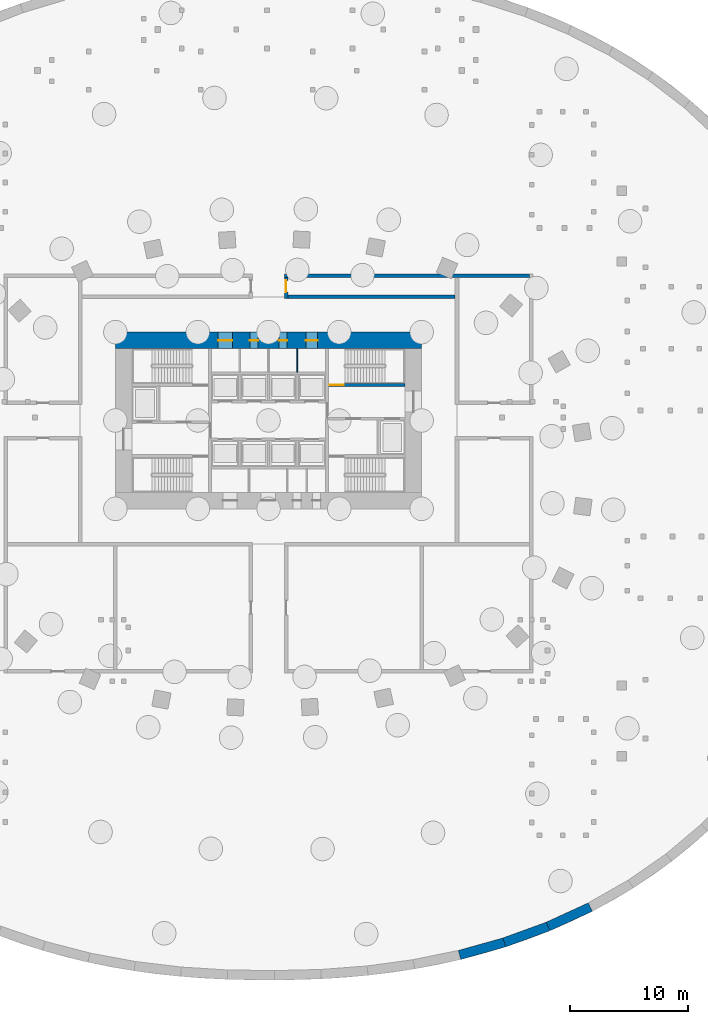
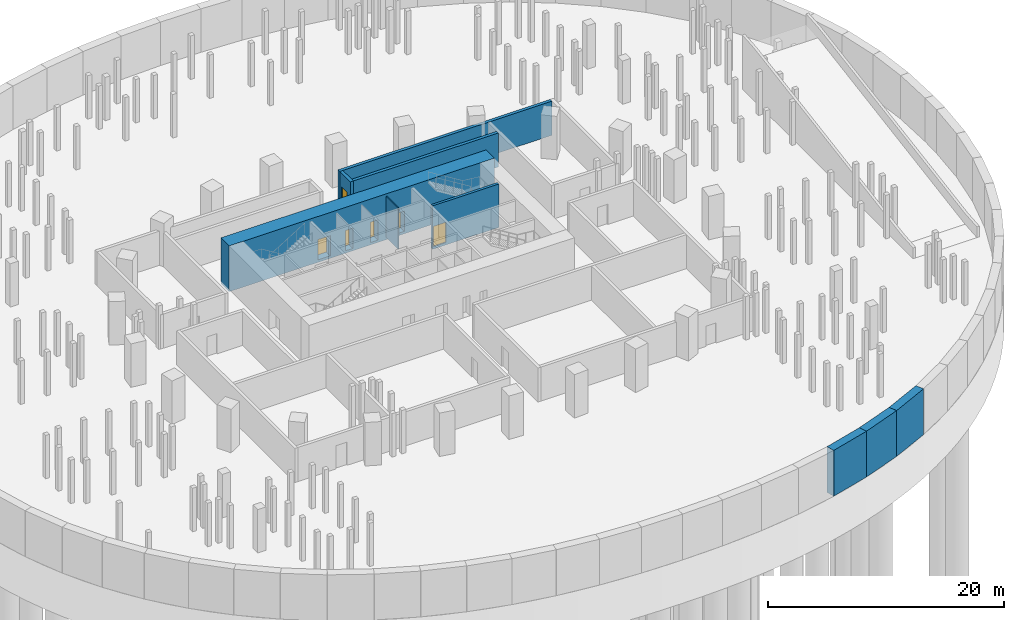
# One storey, part 6 of 10: 9 walls, 6 doors, 6 openings.
"""IFC4 building model written with IfcOpenShell, lengths in metres."""

from ifc_helpers import new_model, si_unit, direction, frame, frame_2d, origin, place, context, subcontext, project, spatial, rectangle, extrude, material, layer, layer_set, type_object, element, fill, save


model = new_model("IFC4")

# Units and contexts
model_context = context("Model", 3, precision=1e-05, world=origin(), true_north=direction((0.0, 1.0)))
body_context = subcontext(model_context, "Body", "Model", "MODEL_VIEW")
ifc_project = project(units=[si_unit("LENGTHUNIT", "METRE"), si_unit("AREAUNIT", "SQUARE_METRE"), si_unit("VOLUMEUNIT", "CUBIC_METRE"), si_unit("PLANEANGLEUNIT", "RADIAN"), si_unit("MASSUNIT", "GRAM", prefix="KILO")], contexts=[model_context])

# Site, building, storey
site_placement = place(None, origin())
site = spatial("IfcSite", under=ifc_project, at=site_placement, CompositionType="ELEMENT")
building_placement = place(site_placement, origin())
building = spatial("IfcBuilding", under=site, at=building_placement, Name="Rubra Terraces Tower", CompositionType="ELEMENT")
storey_placement = place(building_placement, frame((0.0, 0.0, -15.0)))
storey = spatial("IfcBuildingStorey", under=building, at=storey_placement, Name="B3", CompositionType="ELEMENT", Elevation=-15.0)

# Walls
ifc_material_1 = material(Name="Concrete C40", Category="concrete")
ifc_layer_1 = layer(ifc_material_1, 0.800048828125)
ifc_layer_set_1 = layer_set([ifc_layer_1], Name="Concrete C40")
wall_type_1 = type_object("IfcWallType", Name="BASEMENT WALL 800", PredefinedType="SOLIDWALL", material=ifc_layer_set_1)
wall_1_placement = place(storey_placement, frame((27.322998046875, -36.80810546875, -0.25), z_axis=(0.0, 0.0, 1.0), x_axis=(-0.908595078456, -0.417678085858, 0.0)))
element("IfcWall", 1, at=wall_1_placement, inside=storey, type_object=wall_type_1, Name="wall-B3-basement-013", PredefinedType="SOLIDWALL", context=body_context, shape_type="SweptSolid", body=[
    extrude(rectangle(XDim=3.9501953125, YDim=0.800048828125, at=frame_2d((1.97509765625, 0.0))), origin(), (0.0, 0.0, 1.0), 4.75),
])
wall_2_placement = place(storey_placement, frame((23.73388671875, -38.4580078125, -0.25), z_axis=(0.0, 0.0, 1.0), x_axis=(-0.939587666613, -0.342308364999, 0.0)))
element("IfcWall", 2, at=wall_2_placement, inside=storey, type_object=wall_type_1, Name="wall-B3-basement-014", PredefinedType="SOLIDWALL", context=body_context, shape_type="SweptSolid", body=[
    extrude(rectangle(XDim=3.95263671875, YDim=0.800048828125, at=frame_2d((1.976318359375, 0.0))), origin(), (0.0, 0.0, 1.0), 4.75),
])
wall_3_placement = place(storey_placement, frame((20.02001953125, -39.81103515625, -0.25), z_axis=(0.0, 0.0, 1.0), x_axis=(-0.962922974856, -0.26977647135, 0.0)))
element("IfcWall", 3, at=wall_3_placement, inside=storey, type_object=wall_type_1, Name="wall-B3-basement-015", PredefinedType="SOLIDWALL", context=body_context, shape_type="SweptSolid", body=[
    extrude(rectangle(XDim=3.954833984375, YDim=0.800048828125, at=frame_2d((1.9775390625, 0.0))), origin(), (0.0, 0.0, 1.0), 4.75),
])

# Wall, openings, doors
ifc_material_2 = material(Name="Concrete C70", Category="concrete")
ifc_layer_2 = layer(ifc_material_2, 1.39990234375)
ifc_layer_set_2 = layer_set([ifc_layer_2], Name="Concrete C70")
wall_type_2 = type_object("IfcWallType", Name="CORE WALL 1400 C70", PredefinedType="SHEAR", material=ifc_layer_set_2)
wall_4_placement = place(storey_placement, frame((-13.0, 11.300048828125, -0.25), z_axis=(0.0, 0.0, 1.0), x_axis=(1.0, 0.0, 0.0)))
wall_4 = element("IfcWall", 4, at=wall_4_placement, inside=storey, type_object=wall_type_2, Name="CORE WALL N B3", PredefinedType="SHEAR", context=body_context, shape_type="SweptSolid", body=[
    extrude(rectangle(XDim=26.0, YDim=1.39990234375, at=frame_2d((13.0, 0.0))), origin(), (0.0, 0.0, 1.0), 4.75),
])
opening_1_placement = place(wall_4_placement, frame((8.72509765625, 0.0, 0.25)))
opening_1 = element("IfcOpeningElement", 5, at=opening_1_placement, cuts=wall_4, Name="Opening B3.C25", PredefinedType="OPENING", context=body_context, shape_type="SweptSolid", body=[
    extrude(rectangle(XDim=1.199951171875, YDim=2.10009765625, at=frame_2d((0.60009765625, 1.050048828125))), frame((0.0, 0.7099609375, 0.0), z_axis=(0.0, -1.0, 0.0), x_axis=(1.0, 0.0, 0.0)), (0.0, 0.0, 1.0), 1.419921875),
])
opening_2_placement = place(wall_4_placement, frame((11.425048828125, 0.0, 0.25)))
opening_2 = element("IfcOpeningElement", 6, at=opening_2_placement, cuts=wall_4, Name="Opening B3.C26", PredefinedType="OPENING", context=body_context, shape_type="SweptSolid", body=[
    extrude(rectangle(XDim=0.699951171875, YDim=2.10009765625, at=frame_2d((0.35009765625, 1.050048828125))), frame((0.0, 0.7099609375, 0.0), z_axis=(0.0, -1.0, 0.0), x_axis=(1.0, 0.0, 0.0)), (0.0, 0.0, 1.0), 1.419921875),
])
opening_3_placement = place(wall_4_placement, frame((13.875, 0.0, 0.25)))
opening_3 = element("IfcOpeningElement", 7, at=opening_3_placement, cuts=wall_4, Name="Opening B3.C27", PredefinedType="OPENING", context=body_context, shape_type="SweptSolid", body=[
    extrude(rectangle(XDim=0.699951171875, YDim=2.10009765625, at=frame_2d((0.35009765625, 1.050048828125))), frame((0.0, 0.7099609375, 0.0), z_axis=(0.0, -1.0, 0.0), x_axis=(1.0, 0.0, 0.0)), (0.0, 0.0, 1.0), 1.419921875),
])
opening_4_placement = place(wall_4_placement, frame((16.175048828125, 0.0, 0.25)))
opening_4 = element("IfcOpeningElement", 8, at=opening_4_placement, cuts=wall_4, Name="Opening B3.C28", PredefinedType="OPENING", context=body_context, shape_type="SweptSolid", body=[
    extrude(rectangle(XDim=1.0, YDim=2.10009765625, at=frame_2d((0.5, 1.050048828125))), frame((0.0, 0.7099609375, 0.0), z_axis=(0.0, -1.0, 0.0), x_axis=(1.0, 0.0, 0.0)), (0.0, 0.0, 1.0), 1.419921875),
])
ifc_material_3 = material(Name="Painted steel", Category="steel")
door_type_1 = type_object("IfcDoorType", Name="Fire door 1000x2100 single", OperationType="NOTDEFINED", PredefinedType="DOOR", material=ifc_material_3)
door_1_placement = place(opening_4_placement, origin())
door_1 = element("IfcDoor", 9, at=door_1_placement, inside=storey, type_object=door_type_1, Name="General store door", OperationType="SINGLE_SWING_RIGHT", OverallHeight=2.10009765625, OverallWidth=1.0, PredefinedType="DOOR", context=body_context, shape_type="SweptSolid", body=[
    extrude(rectangle(XDim=1.0, YDim=2.10009765625, at=frame_2d((0.5, 1.050048828125))), frame((0.0, 0.02490234375, 0.0), z_axis=(0.0, -1.0, 0.0), x_axis=(1.0, 0.0, 0.0)), (0.0, 0.0, 1.0), 0.050048828125),
])
fill(opening_4, door_1)
door_type_2 = type_object("IfcDoorType", Name="Fire door 1200x2100 single", OperationType="NOTDEFINED", PredefinedType="DOOR", material=ifc_material_3)
door_2_placement = place(opening_1_placement, origin())
door_2 = element("IfcDoor", 10, at=door_2_placement, inside=storey, type_object=door_type_2, Name="Pump room door", OperationType="SINGLE_SWING_LEFT", OverallHeight=2.10009765625, OverallWidth=1.199951171875, PredefinedType="DOOR", context=body_context, shape_type="SweptSolid", body=[
    extrude(rectangle(XDim=1.199951171875, YDim=2.10009765625, at=frame_2d((0.60009765625, 1.050048828125))), frame((0.0, 0.02490234375, 0.0), z_axis=(0.0, -1.0, 0.0), x_axis=(1.0, 0.0, 0.0)), (0.0, 0.0, 1.0), 0.050048828125),
])
fill(opening_1, door_2)
door_type_3 = type_object("IfcDoorType", Name="Riser access door 700x2100 single", OperationType="NOTDEFINED", PredefinedType="DOOR", material=ifc_material_3)
door_3_placement = place(opening_2_placement, origin())
door_3 = element("IfcDoor", 11, at=door_3_placement, inside=storey, type_object=door_type_3, Name="Electrical riser room door", OperationType="SINGLE_SWING_RIGHT", OverallHeight=2.10009765625, OverallWidth=0.699951171875, PredefinedType="DOOR", context=body_context, shape_type="SweptSolid", body=[
    extrude(rectangle(XDim=0.699951171875, YDim=2.10009765625, at=frame_2d((0.35009765625, 1.050048828125))), frame((0.0, 0.02490234375, 0.0), z_axis=(0.0, -1.0, 0.0), x_axis=(1.0, 0.0, 0.0)), (0.0, 0.0, 1.0), 0.050048828125),
])
fill(opening_2, door_3)
door_4_placement = place(opening_3_placement, origin())
door_4 = element("IfcDoor", 12, at=door_4_placement, inside=storey, type_object=door_type_3, Name="Telecoms room door", OperationType="SINGLE_SWING_LEFT", OverallHeight=2.10009765625, OverallWidth=0.699951171875, PredefinedType="DOOR", context=body_context, shape_type="SweptSolid", body=[
    extrude(rectangle(XDim=0.699951171875, YDim=2.10009765625, at=frame_2d((0.35009765625, 1.050048828125))), frame((0.0, 0.02490234375, 0.0), z_axis=(0.0, -1.0, 0.0), x_axis=(1.0, 0.0, 0.0)), (0.0, 0.0, 1.0), 0.050048828125),
])
fill(opening_3, door_4)

# Wall
ifc_material_4 = material(Name="Blockwork", Category="masonry")
ifc_layer_3 = layer(ifc_material_4, 0.300048828125)
ifc_layer_set_3 = layer_set([ifc_layer_3], Name="Blockwork")
wall_type_3 = type_object("IfcWallType", Name="Plant wall 300 blockwork", PredefinedType="SOLIDWALL", material=ifc_layer_set_3)
wall_5_placement = place(storey_placement, frame((22.14990234375, 16.800048828125, 0.0), z_axis=(0.0, 0.0, 1.0), x_axis=(-1.0, 0.0, 0.0)))
element("IfcWall", 13, at=wall_5_placement, inside=storey, type_object=wall_type_3, Name="Plant room wall", PredefinedType="SOLIDWALL", context=body_context, shape_type="SweptSolid", body=[
    extrude(rectangle(XDim=20.7998046875, YDim=0.300048828125, at=frame_2d((10.39990234375, 0.0))), origin(), (0.0, 0.0, 1.0), 3.530029296875),
])

# Wall, opening, door
wall_6_placement = place(storey_placement, frame((1.5, 16.64990234375, 0.0), z_axis=(0.0, 0.0, 1.0), x_axis=(0.0, -1.0, 0.0)))
wall_6 = element("IfcWall", 14, at=wall_6_placement, inside=storey, type_object=wall_type_3, Name="Plant room wall", PredefinedType="SOLIDWALL", context=body_context, shape_type="SweptSolid", body=[
    extrude(rectangle(XDim=1.7998046875, YDim=0.300048828125, at=frame_2d((0.89990234375, 0.0))), origin(), (0.0, 0.0, 1.0), 3.530029296875),
])
opening_5_placement = place(wall_6_placement, frame((0.25, 0.0, 0.0)))
opening_5 = element("IfcOpeningElement", 15, at=opening_5_placement, cuts=wall_6, Name="Opening DB1", PredefinedType="OPENING", context=body_context, shape_type="SweptSolid", body=[
    extrude(rectangle(XDim=1.0, YDim=2.10009765625, at=frame_2d((0.5, 1.050048828125))), frame((0.0, 0.159912109375, 0.0), z_axis=(0.0, -1.0, 0.0), x_axis=(1.0, 0.0, 0.0)), (0.0, 0.0, 1.0), 0.320068359375),
])
ifc_material_5 = material(Name="Painted timber", Category="wood")
door_type_4 = type_object("IfcDoorType", Name="Door 1000x2100 single", OperationType="NOTDEFINED", PredefinedType="DOOR", material=ifc_material_5)
door_5_placement = place(opening_5_placement, origin())
door_5 = element("IfcDoor", 16, at=door_5_placement, inside=storey, type_object=door_type_4, Name="Plant room door B3-10", OperationType="SINGLE_SWING_LEFT", OverallHeight=2.10009765625, OverallWidth=1.0, PredefinedType="DOOR", context=body_context, shape_type="SweptSolid", body=[
    extrude(rectangle(XDim=1.0, YDim=2.10009765625, at=frame_2d((0.5, 1.050048828125))), frame((0.0, 0.02490234375, 0.0), z_axis=(0.0, -1.0, 0.0), x_axis=(1.0, 0.0, 0.0)), (0.0, 0.0, 1.0), 0.050048828125),
])
fill(opening_5, door_5)

# Walls
wall_7_placement = place(storey_placement, frame((1.64990234375, 15.0, 0.0), z_axis=(0.0, 0.0, 1.0), x_axis=(1.0, 0.0, 0.0)))
element("IfcWall", 17, at=wall_7_placement, inside=storey, type_object=wall_type_3, Name="Plant room wall", PredefinedType="SOLIDWALL", context=body_context, shape_type="SweptSolid", body=[
    extrude(rectangle(XDim=14.2001953125, YDim=0.300048828125, at=frame_2d((7.10009765625, 0.0))), origin(), (0.0, 0.0, 1.0), 3.530029296875),
])
ifc_layer_4 = layer(ifc_material_4, 0.10009765625)
ifc_layer_set_4 = layer_set([ifc_layer_4], Name="Blockwork")
wall_type_4 = type_object("IfcWallType", Name="Service partition 100 blockwork", PredefinedType="PARTITIONING", material=ifc_layer_set_4)
wall_8_placement = place(storey_placement, frame((2.449951171875, 8.60009765625, 0.0), z_axis=(0.0, 0.0, 1.0), x_axis=(0.0, 1.0, 0.0)))
element("IfcWall", 18, at=wall_8_placement, inside=storey, type_object=wall_type_4, Name="SERVICE ROOM PARTITION B3", PredefinedType="PARTITIONING", context=body_context, shape_type="SweptSolid", body=[
    extrude(rectangle(XDim=2.0, YDim=0.10009765625, at=frame_2d((1.0, 0.0))), origin(), (0.0, 0.0, 1.0), 4.25),
])

# Wall, opening, door
ifc_layer_5 = layer(ifc_material_1, 0.25)
ifc_layer_set_5 = layer_set([ifc_layer_5], Name="Concrete C40")
wall_type_5 = type_object("IfcWallType", Name="Stair enclosure wall 250 concrete", PredefinedType="SOLIDWALL", material=ifc_layer_set_5)
wall_9_placement = place(storey_placement, frame((11.60009765625, 7.52490234375, -0.25), z_axis=(0.0, 0.0, 1.0), x_axis=(-1.0, 0.0, 0.0)))
wall_9 = element("IfcWall", 19, at=wall_9_placement, inside=storey, type_object=wall_type_5, Name="STAIR WALL B3", PredefinedType="SOLIDWALL", context=body_context, shape_type="SweptSolid", body=[
    extrude(rectangle(XDim=6.5, YDim=0.25, at=frame_2d((3.25, 0.0))), origin(), (0.0, 0.0, 1.0), 4.5),
])
opening_6_placement = place(wall_9_placement, frame((5.199951171875, 0.0, 0.25)))
opening_6 = element("IfcOpeningElement", 20, at=opening_6_placement, cuts=wall_9, Name="Opening B3.C08", PredefinedType="OPENING", context=body_context, shape_type="SweptSolid", body=[
    extrude(rectangle(XDim=1.199951171875, YDim=2.10009765625, at=frame_2d((0.60009765625, 1.050048828125))), frame((0.0, 0.135009765625, 0.0), z_axis=(0.0, -1.0, 0.0), x_axis=(1.0, 0.0, 0.0)), (0.0, 0.0, 1.0), 0.27001953125),
])
door_6_placement = place(opening_6_placement, origin())
door_6 = element("IfcDoor", 21, at=door_6_placement, inside=storey, type_object=door_type_2, Name="Stair door S3", OperationType="SINGLE_SWING_RIGHT", OverallHeight=2.10009765625, OverallWidth=1.199951171875, PredefinedType="DOOR", context=body_context, shape_type="SweptSolid", body=[
    extrude(rectangle(XDim=1.199951171875, YDim=2.10009765625, at=frame_2d((0.60009765625, 1.050048828125))), frame((0.0, 0.02490234375, 0.0), z_axis=(0.0, -1.0, 0.0), x_axis=(1.0, 0.0, 0.0)), (0.0, 0.0, 1.0), 0.050048828125),
])
fill(opening_6, door_6)

save(model, "model.ifc")
